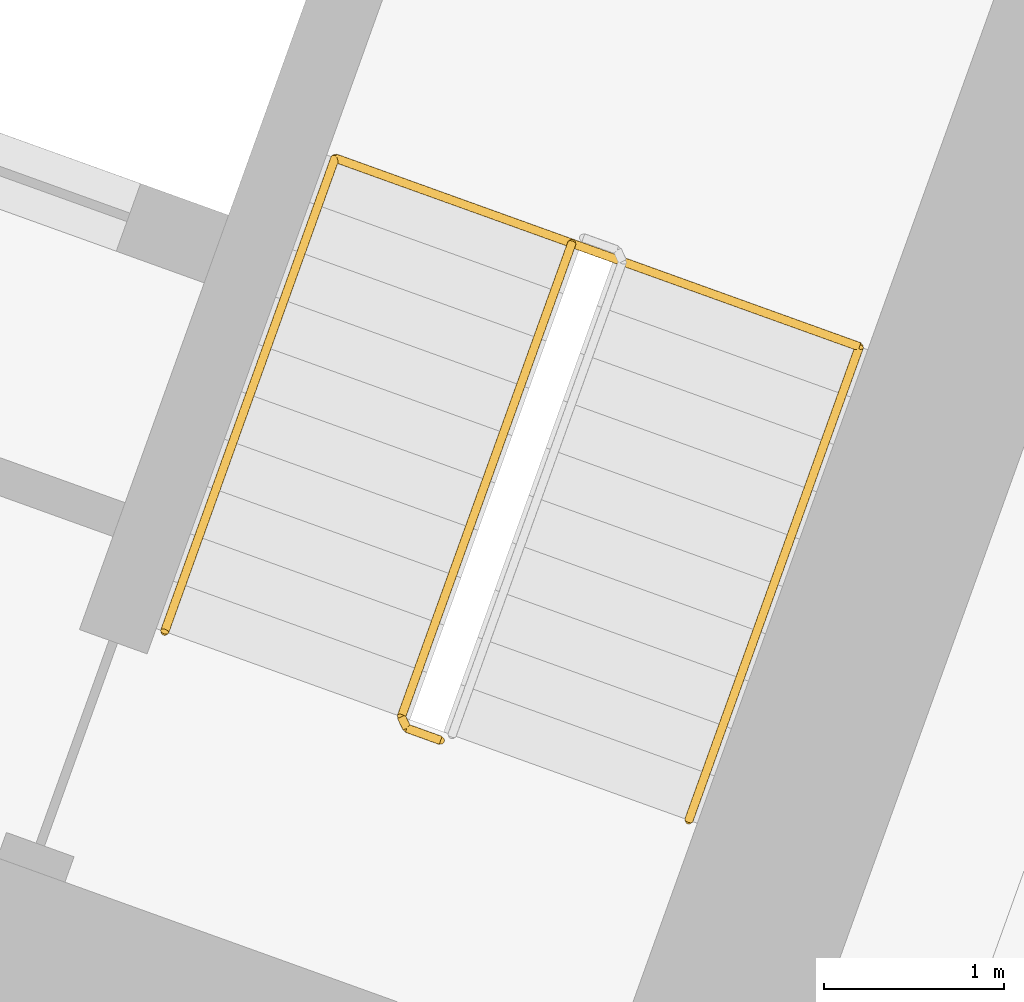
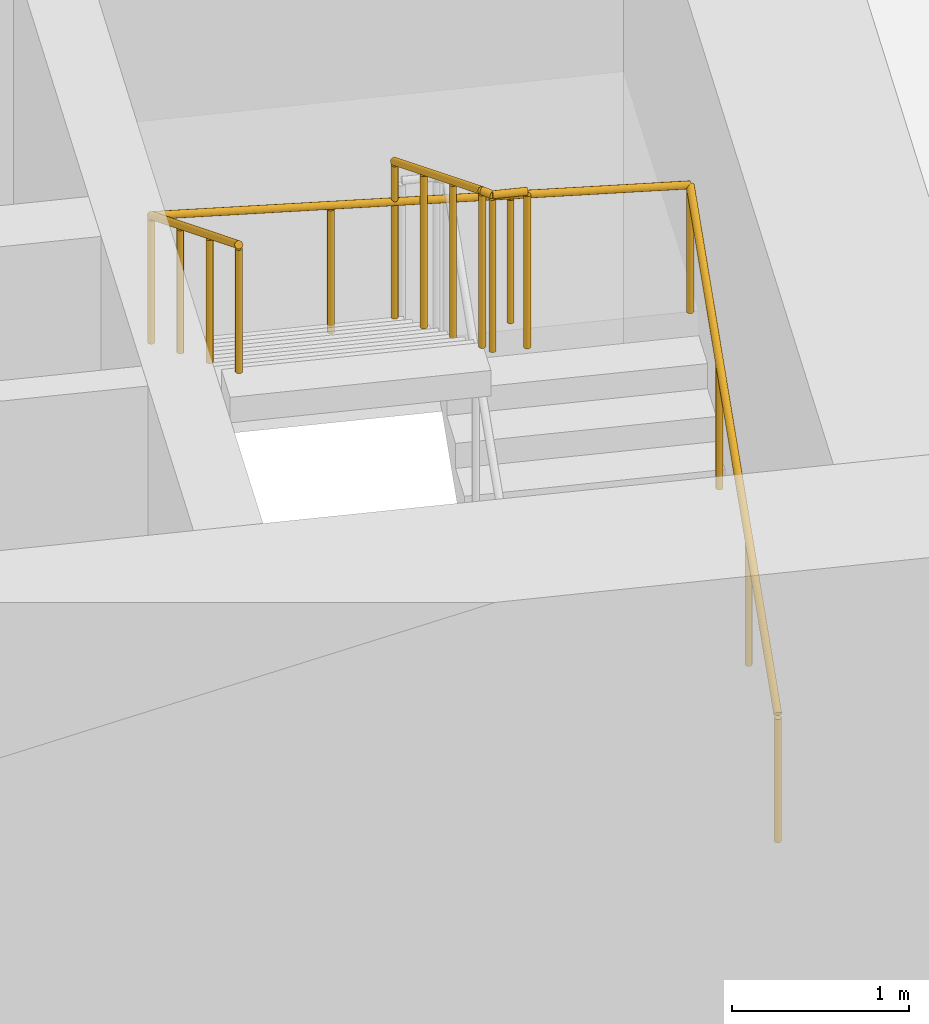
# One storey, part 19 of 19: 2 railings.
"""IFC4 building model written with IfcOpenShell, lengths in metres."""

import ifcopenshell
import ifcopenshell.guid

model = None  # the IFC model being written
_history = None  # IfcOwnerHistory: only IFC2X3 demands one
_inside = {}  # id of a spatial element -> (the spatial element, [elements in it])
_under = {}  # id of a project, library or spatial element -> (it, [spatial elements below it])
_declared = {}  # id of a project -> (the project, [libraries it declares])
_typed = {}  # id of a type object -> (the type object, [elements of that type])
_made_of = {}  # id of a material, layer set ... -> (it, [elements and type objects made of it])


def new_model(schema):
    """Start an empty IFC model of exactly this schema.

    Asked for "IFC4X3", IfcOpenShell would pick the latest addendum, in which some entities
    have other attributes; the version numbers below select the first issue.
    IFC2X3 requires an IfcOwnerHistory on every rooted entity: one is made here for all.
    """
    global model, _history
    if schema == "IFC4X3":
        model = ifcopenshell.file(schema_version=(4, 3, 0, 0))
    else:
        model = ifcopenshell.file(schema=schema)
    _inside.clear()
    _under.clear()
    _declared.clear()
    _typed.clear()
    _made_of.clear()
    _history = None
    if model.schema == "IFC2X3":
        org = make("IfcOrganization", Name="unknown")
        user = make(
            "IfcPersonAndOrganization",
            ThePerson=make("IfcPerson", FamilyName="unknown"),
            TheOrganization=org,
        )
        app = make(
            "IfcApplication",
            ApplicationDeveloper=org,
            Version="unknown",
            ApplicationFullName="unknown",
            ApplicationIdentifier="unknown",
        )
        _history = make(
            "IfcOwnerHistory",
            OwningUser=user,
            OwningApplication=app,
            ChangeAction="ADDED",
            CreationDate=0,
        )
    return model


def make(cls, **values):
    """One entity of the class cls with the attributes given. An attribute that is None is left unset."""
    return model.create_entity(
        cls, **{name: value for name, value in values.items() if value is not None}
    )


def rooted(cls, **values):
    """An entity with a GlobalId (a new one), such as an element, a storey or a relation."""
    return make(cls, GlobalId=ifcopenshell.guid.new(), OwnerHistory=_history, **values)


def si_unit(unit_type, name, prefix=None):
    """IfcSIUnit, for example si_unit("LENGTHUNIT", "METRE", prefix="MILLI")."""
    return make("IfcSIUnit", UnitType=unit_type, Prefix=prefix, Name=name)


def assignment(units):
    """IfcUnitAssignment: the units of a project."""
    return None if units is None else make("IfcUnitAssignment", Units=units)


def point(xyz):
    """IfcCartesianPoint."""
    return None if xyz is None else make("IfcCartesianPoint", Coordinates=xyz)


def direction(xyz):
    """IfcDirection."""
    return None if xyz is None else make("IfcDirection", DirectionRatios=xyz)


def frame(location, z_axis=None, x_axis=None):
    """IfcAxis2Placement3D, a coordinate frame: its origin and axes. An axis left out is left unset."""
    return make(
        "IfcAxis2Placement3D",
        Location=point(location),
        Axis=direction(z_axis),
        RefDirection=direction(x_axis),
    )


def frame_2d(location, x_axis=None):
    """IfcAxis2Placement2D, a coordinate frame in the plane: its origin and x axis."""
    return make(
        "IfcAxis2Placement2D", Location=point(location), RefDirection=direction(x_axis)
    )


def origin():
    """The frame at (0, 0, 0) with its axes left unset."""
    return frame((0.0, 0.0, 0.0))


def origin_2d():
    """The frame at (0, 0) in the plane with its x axis left unset."""
    return frame_2d((0.0, 0.0))


def place(relative_to, where):
    """IfcLocalPlacement: puts the frame where relative to a parent placement (None: the world)."""
    return make(
        "IfcLocalPlacement", PlacementRelTo=relative_to, RelativePlacement=where
    )


def context(
    kind, dimensions, precision=None, world=None, true_north=None, identifier=None
):
    """IfcGeometricRepresentationContext, for example the 3D "Model" context."""
    return make(
        "IfcGeometricRepresentationContext",
        ContextIdentifier=identifier,
        ContextType=kind,
        CoordinateSpaceDimension=dimensions,
        Precision=precision,
        WorldCoordinateSystem=world,
        TrueNorth=true_north,
    )


def subcontext(parent, identifier, kind, view, scale=None):
    """IfcGeometricRepresentationSubContext, for example "Body" below "Model"."""
    return make(
        "IfcGeometricRepresentationSubContext",
        ContextIdentifier=identifier,
        ContextType=kind,
        ParentContext=parent,
        TargetScale=scale,
        TargetView=view,
    )


def project(units=None, contexts=None):
    """IfcProject with its units and contexts."""
    return rooted(
        "IfcProject",
        Name="project",
        RepresentationContexts=contexts,
        UnitsInContext=assignment(units),
    )


def spatial(cls, under=None, at=None, **own):
    """A site, building, storey or space (cls), placed at a placement, below another one or the project."""
    s = rooted(cls, ObjectPlacement=at, **own)
    if under is not None:
        _under.setdefault(under.id(), (under, []))[1].append(s)
    return s


def profile(cls, at=None, kind="AREA", **sizes):
    """A parametric profile (cls). Its sizes go by their IFC names, for example OverallWidth=200.0."""
    return make(cls, ProfileType=kind, Position=at, **sizes)


def circle(**sizes):
    """IfcCircleProfileDef."""
    return profile("IfcCircleProfileDef", **sizes)


def extrude(swept, where, along, depth):
    """IfcExtrudedAreaSolid: the profile swept, set in the frame where, extruded along a direction by depth."""
    return make(
        "IfcExtrudedAreaSolid",
        SweptArea=swept,
        Position=where,
        ExtrudedDirection=direction(along),
        Depth=depth,
    )


def shape(context_of_items, identifier, shape_type, items):
    """IfcShapeRepresentation: the items that make up one representation, for example the "Body"."""
    return make(
        "IfcShapeRepresentation",
        ContextOfItems=context_of_items,
        RepresentationIdentifier=identifier,
        RepresentationType=shape_type,
        Items=items,
    )


def material(Name=None, Category=None):
    """IfcMaterial."""
    return make("IfcMaterial", Name=Name, Category=Category)


def made_of(thing, what):
    """Note that an element or type object is made of a material, layer set ...; save() writes the relation."""
    if what is not None:
        _made_of.setdefault(what.id(), (what, []))[1].append(thing)
    return thing


def type_object(cls, material=None, **own):
    """A type object (cls), such as IfcWallType, which elements share."""
    return made_of(rooted(cls, **own), material)


def element(
    cls,
    number,
    at=None,
    inside=None,
    cuts=None,
    type_object=None,
    material=None,
    context=None,
    identifier="Body",
    shape_type=None,
    held_by="IfcProductDefinitionShape",
    body=None,
    shapes=None,
    **own,
):
    """One element of the class cls, such as IfcWall. Its Tag is "e" and its number.

    at: its placement. inside: the storey or other place that contains it. cuts: it is an
    opening in that element (IfcRelVoidsElement). A single representation is given by context,
    identifier, shape_type and body (its items); several are given by shapes. held_by: the class
    of the entity that holds the representations. save() writes the other relations.
    """
    e = rooted(cls, Tag="e%d" % number, ObjectPlacement=at, **own)
    if body is not None:
        shapes = [shape(context, identifier, shape_type, body)]
    if shapes is not None:
        e.Representation = make(held_by, Representations=shapes)
    if inside is not None:
        _inside.setdefault(inside.id(), (inside, []))[1].append(e)
    if cuts is not None:
        rooted(
            "IfcRelVoidsElement", RelatingBuildingElement=cuts, RelatedOpeningElement=e
        )
    if type_object is not None:
        _typed.setdefault(type_object.id(), (type_object, []))[1].append(e)
    return made_of(e, material)


def aggregate(whole, parts):
    """IfcRelAggregates: a whole, such as a stair, and the parts it consists of."""
    return rooted("IfcRelAggregates", RelatingObject=whole, RelatedObjects=parts)


def save(model, path):
    """Write the relations noted so far, then the file.

    IfcRelAggregates (storeys below a building ...), IfcRelContainedInSpatialStructure (elements
    in a storey), IfcRelDefinesByType, IfcRelAssociatesMaterial and IfcRelDeclares: one each for
    every whole, place, type object, material and project.
    """
    for whole, parts in _under.values():
        aggregate(whole, parts)
    for where, things in _inside.values():
        rooted(
            "IfcRelContainedInSpatialStructure",
            RelatedElements=things,
            RelatingStructure=where,
        )
    for kind, things in _typed.values():
        rooted("IfcRelDefinesByType", RelatedObjects=things, RelatingType=kind)
    for what, things in _made_of.values():
        rooted("IfcRelAssociatesMaterial", RelatedObjects=things, RelatingMaterial=what)
    for by, libraries in _declared.values():
        rooted("IfcRelDeclares", RelatingContext=by, RelatedDefinitions=libraries)
    model.write(path)


model = new_model("IFC4")

# Units and contexts
model_context = context("Model", 3, precision=1e-05, world=origin(), true_north=direction((0.0, 1.0)))
body_context = subcontext(model_context, "Body", "Model", "MODEL_VIEW")
ifc_project = project(units=[si_unit("LENGTHUNIT", "METRE"), si_unit("AREAUNIT", "SQUARE_METRE"), si_unit("VOLUMEUNIT", "CUBIC_METRE"), si_unit("PLANEANGLEUNIT", "RADIAN"), si_unit("MASSUNIT", "GRAM", prefix="KILO")], contexts=[model_context])

# Site, building, storey
site_placement = place(None, origin())
site = spatial("IfcSite", under=ifc_project, at=site_placement, CompositionType="ELEMENT")
building_placement = place(site_placement, origin())
building = spatial("IfcBuilding", under=site, at=building_placement, Name="Stone Belt Terrace Tower", CompositionType="ELEMENT")
storey_placement = place(building_placement, frame((0.0, 0.0, 227.60009765625)))
storey = spatial("IfcBuildingStorey", under=building, at=storey_placement, Name="L55", CompositionType="ELEMENT", Elevation=227.60009765625)

# Railings
ifc_material = material(Name="Structural steel C345", Category="steel")
railing_type_1 = type_object("IfcRailingType", Name="Stair guard 1100", PredefinedType="GUARDRAIL", material=ifc_material)
railing_1_placement = place(storey_placement, frame((25.16015625, 47.91064453125, 2.072509765625)))
element("IfcRailing", 1, at=railing_1_placement, inside=storey, type_object=railing_type_1, Name="L55 ST1B stair guard 2", PredefinedType="GUARDRAIL", context=body_context, shape_type="SweptSolid", body=[
    extrude(circle(Radius=0.02392578125, at=origin_2d()), frame((0.0, 0.0, 1.076171875), z_axis=(-0.288228637646, -0.800791768495, 0.525030280985), x_axis=(0.940908529223, -0.338660803216, 0.0)), (0.0, 0.0, 1.0), 3.289794921875),
    extrude(circle(Radius=0.02392578125, at=origin_2d()), frame((-0.9482421875, -2.634521484375, 2.80322265625), z_axis=(0.427789722475, -0.903878284585, 0.0), x_axis=(0.903878284585, 0.427789722475, 0.0)), (0.0, 0.0, 1.0), 0.07080078125),
    extrude(circle(Radius=0.02392578125, at=origin_2d()), frame((-0.91796875, -2.698486328125, 2.80322265625), z_axis=(0.940575576748, -0.339584429008, 0.0), x_axis=(0.339584429008, 0.940575576748, 0.0)), (0.0, 0.0, 1.0), 0.199951171875),
    extrude(circle(Radius=0.02099609375, at=origin_2d()), origin(), (0.0, 0.0, 1.0), 1.052001953125),
    extrude(circle(Radius=0.02099609375, at=origin_2d()), frame((-0.316162109375, -0.878173828125, 0.57568359375)), (0.0, 0.0, 1.0), 1.052001953125),
    extrude(circle(Radius=0.02099609375, at=origin_2d()), frame((-0.632080078125, -1.75634765625, 1.151611328125)), (0.0, 0.0, 1.0), 1.052001953125),
    extrude(circle(Radius=0.02099609375, at=origin_2d()), frame((-0.9482421875, -2.634521484375, 1.727294921875)), (0.0, 0.0, 1.0), 1.052001953125),
    extrude(circle(Radius=0.02099609375, at=origin_2d()), frame((-0.91796875, -2.698486328125, 1.727294921875)), (0.0, 0.0, 1.0), 1.052001953125),
    extrude(circle(Radius=0.02099609375, at=origin_2d()), frame((-0.72998046875, -2.766357421875, 1.727294921875)), (0.0, 0.0, 1.0), 1.052001953125),
])
railing_type_2 = type_object("IfcRailingType", Name="Stair handrail 900", PredefinedType="HANDRAIL", material=ifc_material)
railing_2_placement = place(storey_placement, frame((25.8115234375, 44.700439453125, 0.172607421875)))
element("IfcRailing", 2, at=railing_2_placement, inside=storey, type_object=railing_type_2, Name="L55 ST1B stair handrail 1", PredefinedType="HANDRAIL", context=body_context, shape_type="SweptSolid", body=[
    extrude(circle(Radius=0.02392578125, at=origin_2d()), frame((0.0, 0.0, 0.8759765625), z_axis=(0.288228637646, 0.800791768495, 0.525030280985), x_axis=(-0.940908529223, 0.338660803216, 0.0)), (0.0, 0.0, 1.0), 3.289794921875),
    extrude(circle(Radius=0.02392578125, at=origin_2d()), frame((0.9482421875, 2.634521484375, 2.60302734375), z_axis=(-0.939464517435, 0.338106580597, 0.055591012205), x_axis=(-0.338630230244, -0.940919532779, 0.0)), (0.0, 0.0, 1.0), 3.10498046875),
    extrude(circle(Radius=0.02392578125, at=origin_2d()), frame((-1.96875, 3.684326171875, 2.77587890625), z_axis=(-0.288160591223, -0.800808895155, 0.52504150989), x_axis=(0.940936311087, -0.338583606334, 0.0)), (0.0, 0.0, 1.0), 3.289794921875),
    extrude(circle(Radius=0.02099609375, at=origin_2d()), origin(), (0.0, 0.0, 1.0), 0.851806640625),
    extrude(circle(Radius=0.02099609375, at=origin_2d()), frame((0.316162109375, 0.878173828125, 0.57568359375)), (0.0, 0.0, 1.0), 0.851806640625),
    extrude(circle(Radius=0.02099609375, at=origin_2d()), frame((0.632080078125, 1.75634765625, 1.151611328125)), (0.0, 0.0, 1.0), 0.851806640625),
    extrude(circle(Radius=0.02099609375, at=origin_2d()), frame((0.9482421875, 2.634521484375, 1.727294921875)), (0.0, 0.0, 1.0), 0.851806640625),
    extrude(circle(Radius=0.02099609375, at=origin_2d()), frame((-0.024169921875, 2.984375, 1.784912109375)), (0.0, 0.0, 1.0), 0.851806640625),
    extrude(circle(Radius=0.02099609375, at=origin_2d()), frame((-0.996337890625, 3.33447265625, 1.84228515625)), (0.0, 0.0, 1.0), 0.851806640625),
    extrude(circle(Radius=0.02099609375, at=origin_2d()), frame((-1.96875, 3.684326171875, 1.89990234375)), (0.0, 0.0, 1.0), 0.851806640625),
    extrude(circle(Radius=0.02099609375, at=origin_2d()), frame((-2.28466796875, 2.80615234375, 2.4755859375)), (0.0, 0.0, 1.0), 0.851806640625),
    extrude(circle(Radius=0.02099609375, at=origin_2d()), frame((-2.600830078125, 1.927978515625, 3.051513671875)), (0.0, 0.0, 1.0), 0.851806640625),
    extrude(circle(Radius=0.02099609375, at=origin_2d()), frame((-2.916748046875, 1.0498046875, 3.627197265625)), (0.0, 0.0, 1.0), 0.851806640625),
])

save(model, "model.ifc")
